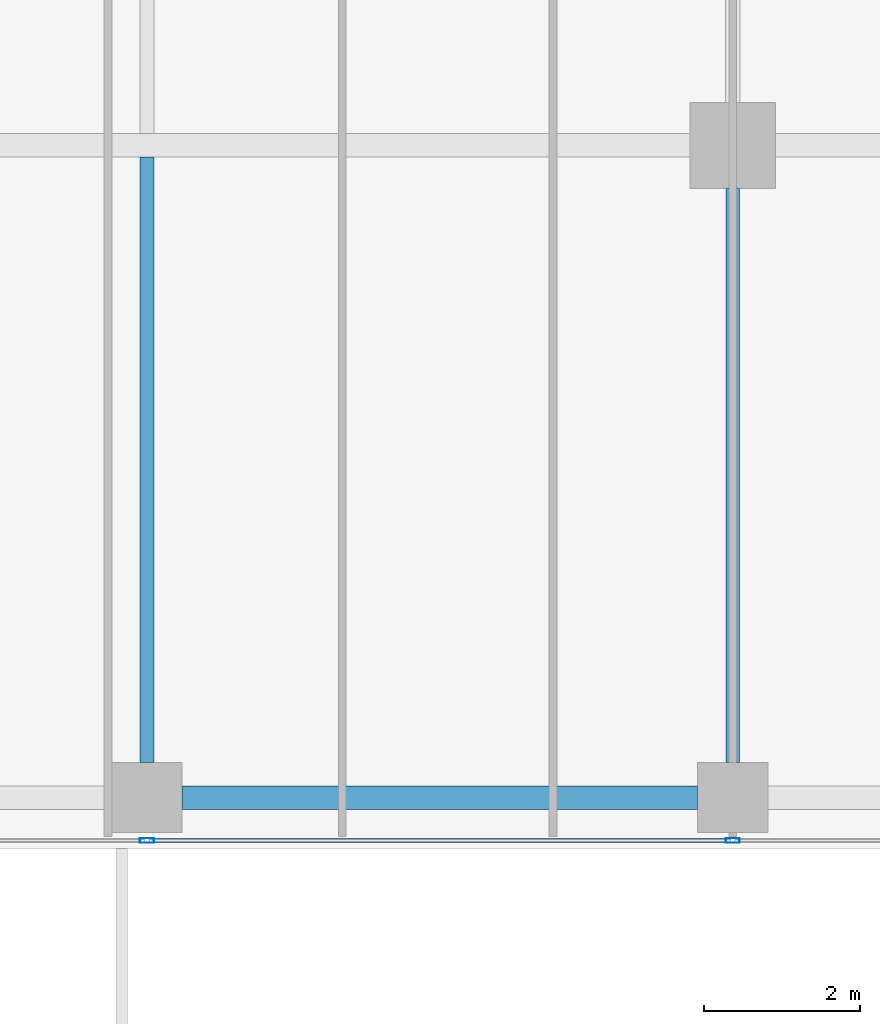
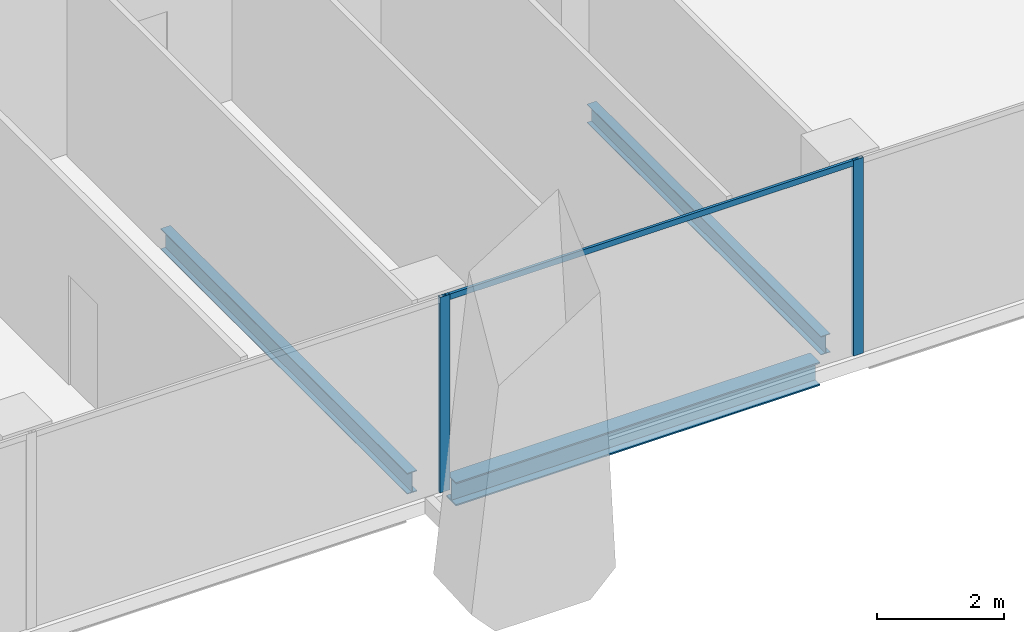
# One storey, part 5 of 35: 3 beams, 3 members, 1 element without a shape of its own.
"""IFC4 building model written with IfcOpenShell, lengths in metres."""

from ifc_helpers import new_model, si_unit, direction, frame, origin, origin_2d, place, context, subcontext, project, spatial, hollow_rectangle, i_section, extrude, source, transform, mapped, material, material_profile, profile_set, type_object, element, aggregate, save


model = new_model("IFC4")

# Units and contexts
model_context = context("Model", 3, precision=1e-05, world=origin(), true_north=direction((0.0, 1.0)))
body_context = subcontext(model_context, "Body", "Model", "MODEL_VIEW")
ifc_project = project(units=[si_unit("LENGTHUNIT", "METRE"), si_unit("AREAUNIT", "SQUARE_METRE"), si_unit("VOLUMEUNIT", "CUBIC_METRE"), si_unit("PLANEANGLEUNIT", "RADIAN"), si_unit("MASSUNIT", "GRAM", prefix="KILO")], contexts=[model_context])

# Site, building, storey
site_placement = place(None, origin())
site = spatial("IfcSite", under=ifc_project, at=site_placement, CompositionType="ELEMENT")
building_placement = place(site_placement, origin())
building = spatial("IfcBuilding", under=site, at=building_placement, Name="Khomas Fold Tower", CompositionType="ELEMENT")
storey_placement = place(building_placement, frame((0.0, 0.0, 250.199951171875)))
storey = spatial("IfcBuildingStorey", under=building, at=storey_placement, Name="L56", CompositionType="ELEMENT", Elevation=250.199951171875)

# Beams
ifc_material_1 = material(Name="Steel S355", Category="steel")
ifc_material_profile_1 = material_profile(ifc_material_1, i_section(OverallWidth=0.300048828125, OverallDepth=0.449951171875, WebThickness=0.013916015625, FlangeThickness=0.02587890625, at=origin_2d()), Name="HE 450 B")
ifc_profile_set_1 = profile_set([ifc_material_profile_1], Name="Steel S355")
beam_type_1 = type_object("IfcBeamType", Name="HE 450 B spandrel SB4", PredefinedType="SPANDREL", material=ifc_profile_set_1)
shared_shape_1 = source(origin(), body_context, "Body", "SweptSolid", [
    extrude(i_section(OverallWidth=0.300048828125, OverallDepth=0.449951171875, WebThickness=0.013916015625, FlangeThickness=0.02587890625, at=origin_2d()), origin(), (0.0, 0.0, 1.0), 6.60009765625),
])
beam_1_placement = place(storey_placement, frame((27.449951171875, 5.14990234375, -0.474853515625), z_axis=(1.0, 0.0, 0.0), x_axis=(0.0, 1.0, 0.0)))
element("IfcBeam", 1, at=beam_1_placement, inside=storey, type_object=beam_type_1, Name="SB4", PredefinedType="SPANDREL", context=body_context, shape_type="MappedRepresentation", body=[
    mapped(shared_shape_1, transform((0.0, 0.0, 0.0))),
])
ifc_material_2 = material(Name="Steel S355", Category="steel")
ifc_material_profile_2 = material_profile(ifc_material_2, i_section(OverallWidth=0.179931640625, OverallDepth=0.39990234375, WebThickness=0.008544921875, FlangeThickness=0.013427734375, at=origin_2d()), Name="IPE 400")
ifc_profile_set_2 = profile_set([ifc_material_profile_2], Name="Steel S355")
beam_type_2 = type_object("IfcBeamType", Name="IPE 400 beam JB3", PredefinedType="BEAM", material=ifc_profile_set_2)
shared_shape_2 = source(origin(), body_context, "Body", "SweptSolid", [
    extrude(i_section(OverallWidth=0.179931640625, OverallDepth=0.39990234375, WebThickness=0.008544921875, FlangeThickness=0.013427734375, at=origin_2d()), origin(), (0.0, 0.0, 1.0), 7.75),
])
beam_2_placement = place(storey_placement, frame((27.0, 5.60009765625, -0.449951171875), z_axis=(0.0, 1.0, 0.0), x_axis=(-1.0, 0.0, 0.0)))
element("IfcBeam", 2, at=beam_2_placement, inside=storey, type_object=beam_type_2, Name="JB3", PredefinedType="BEAM", context=body_context, shape_type="MappedRepresentation", body=[
    mapped(shared_shape_2, transform((0.0, 0.0, 0.0))),
])
ifc_material_3 = material(Name="Steel S355", Category="steel")
ifc_material_profile_3 = material_profile(ifc_material_3, i_section(OverallWidth=0.169921875, OverallDepth=0.360107421875, WebThickness=0.008056640625, FlangeThickness=0.0126953125, at=origin_2d()), Name="IPE 360")
ifc_profile_set_3 = profile_set([ifc_material_profile_3], Name="Steel S355")
beam_type_3 = type_object("IfcBeamType", Name="IPE 360 beam JB2", PredefinedType="BEAM", material=ifc_profile_set_3)
shared_shape_3 = source(origin(), body_context, "Body", "SweptSolid", [
    extrude(i_section(OverallWidth=0.169921875, OverallDepth=0.360107421875, WebThickness=0.008056640625, FlangeThickness=0.0126953125, at=origin_2d()), origin(), (0.0, 0.0, 1.0), 7.349853515625),
])
beam_3_placement = place(storey_placement, frame((34.5, 5.60009765625, -0.429931640625), z_axis=(0.0, 1.0, 0.0), x_axis=(-1.0, 0.0, 0.0)))
element("IfcBeam", 3, at=beam_3_placement, inside=storey, type_object=beam_type_3, Name="JB2", PredefinedType="BEAM", context=body_context, shape_type="MappedRepresentation", body=[
    mapped(shared_shape_3, transform((0.0, 0.0, 0.0))),
])

# Curtain wall, members
ifc_material_4 = material(Name="Aluminium framed double glazing", Category="aluminium")
curtain_wall_type = type_object("IfcCurtainWallType", Name="SK-Unitised clear-glass wall, office floors CW2", PredefinedType="NOTDEFINED", material=ifc_material_4)
curtain_wall_placement = place(storey_placement, origin())
curtain_wall = element("IfcCurtainWall", 4, at=curtain_wall_placement, inside=storey, type_object=curtain_wall_type, Name="CW2 run L56 00-0", PredefinedType="NOTDEFINED")
ifc_material_5 = material(Name="Aluminium", Category="aluminium")
ifc_material_profile_4 = material_profile(ifc_material_5, hollow_rectangle(XDim=0.06005859375, YDim=0.179931640625, WallThickness=0.00390625, at=origin_2d()), Name="SK-Unitised clear-glass wall, office floors mullion CW2-M")
ifc_profile_set_4 = profile_set([ifc_material_profile_4], Name="Aluminium")
member_type_1 = type_object("IfcMemberType", Name="SK-Unitised clear-glass wall, office floors mullion CW2-M", PredefinedType="MULLION", material=ifc_profile_set_4)
shared_shape_4 = source(origin(), body_context, "Body", "SweptSolid", [
    extrude(hollow_rectangle(XDim=0.06005859375, YDim=0.179931640625, WallThickness=0.00390625, at=origin_2d()), origin(), (0.0, 0.0, 1.0), 3.75),
])
member_1_placement = place(storey_placement, frame((27.0, 4.60009765625, 0.0), z_axis=(0.0, 0.0, 1.0), x_axis=(0.0, 1.0, 0.0)))
member_1 = element("IfcMember", 5, at=member_1_placement, type_object=member_type_1, Name="CW2 mullion 4", PredefinedType="MULLION", context=body_context, shape_type="MappedRepresentation", body=[
    mapped(shared_shape_4, transform((0.0, 0.0, 0.0))),
])
member_2_placement = place(storey_placement, frame((34.5, 4.60009765625, 0.0), z_axis=(0.0, 0.0, 1.0), x_axis=(0.0, 1.0, 0.0)))
member_2 = element("IfcMember", 6, at=member_2_placement, type_object=member_type_1, Name="CW2 mullion 5", PredefinedType="MULLION", context=body_context, shape_type="MappedRepresentation", body=[
    mapped(shared_shape_4, transform((0.0, 0.0, 0.0))),
])
ifc_material_6 = material(Name="Aluminium", Category="aluminium")
ifc_material_profile_5 = material_profile(ifc_material_6, hollow_rectangle(XDim=0.050048828125, YDim=0.110107421875, WallThickness=0.00390625, at=origin_2d()), Name="SK-Unitised clear-glass wall, office floors transom CW2-T")
ifc_profile_set_5 = profile_set([ifc_material_profile_5], Name="Aluminium")
member_type_2 = type_object("IfcMemberType", Name="SK-Unitised clear-glass wall, office floors transom CW2-T", PredefinedType="USERDEFINED", material=ifc_profile_set_5)
shared_shape_5 = source(origin(), body_context, "Body", "SweptSolid", [
    extrude(hollow_rectangle(XDim=0.050048828125, YDim=0.110107421875, WallThickness=0.00390625, at=origin_2d()), origin(), (0.0, 0.0, 1.0), 7.43994140625),
])
member_3_placement = place(storey_placement, frame((27.030029296875, 4.60009765625, 3.695068359375), z_axis=(1.0, 0.0, 0.0), x_axis=(0.0, 1.0, 0.0)))
member_3 = element("IfcMember", 7, at=member_3_placement, type_object=member_type_2, Name="CW2 transom 4", ObjectType="TRANSOM", PredefinedType="USERDEFINED", context=body_context, shape_type="MappedRepresentation", body=[
    mapped(shared_shape_5, transform((0.0, 0.0, 0.0))),
])
aggregate(curtain_wall, [member_1, member_2, member_3])

save(model, "model.ifc")
